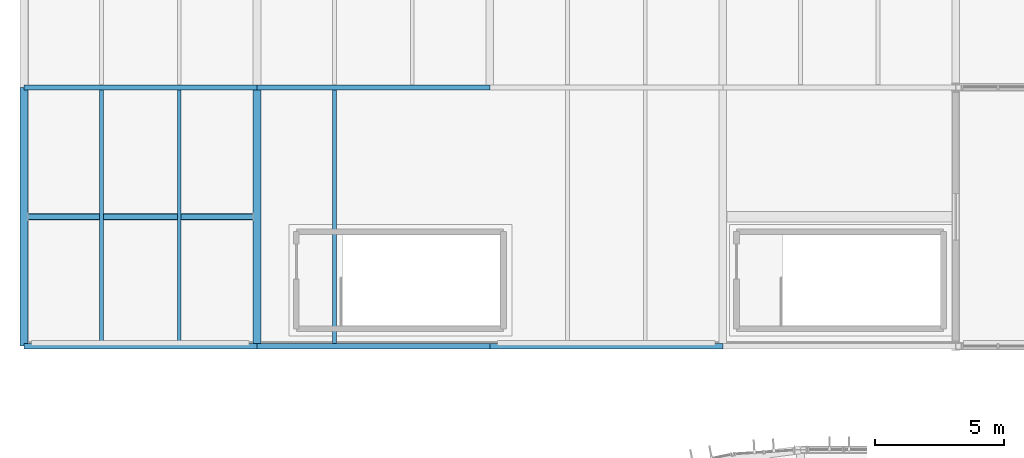
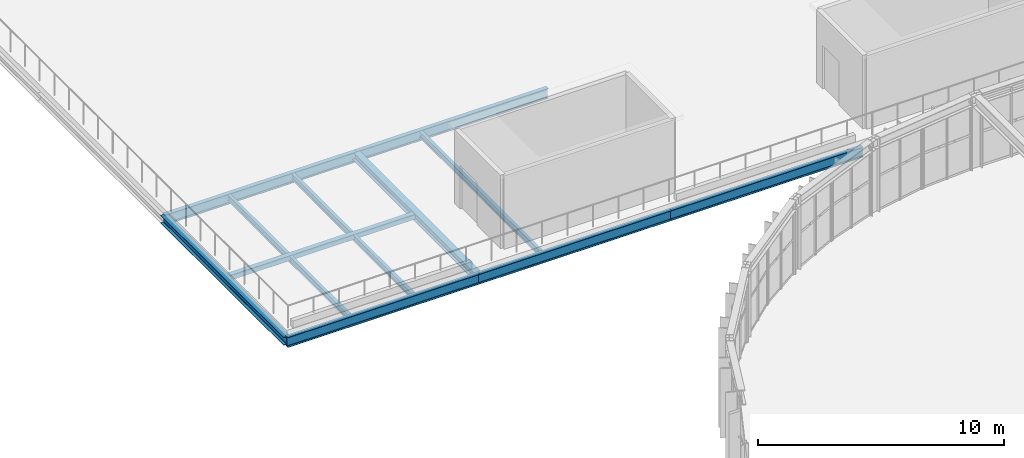
# One storey, part 55 of 152: 11 beams.
"""IFC4 building model written with IfcOpenShell, lengths in metres."""

import ifcopenshell
import ifcopenshell.guid

model = None  # the IFC model being written
_history = None  # IfcOwnerHistory: only IFC2X3 demands one
_inside = {}  # id of a spatial element -> (the spatial element, [elements in it])
_under = {}  # id of a project, library or spatial element -> (it, [spatial elements below it])
_declared = {}  # id of a project -> (the project, [libraries it declares])
_typed = {}  # id of a type object -> (the type object, [elements of that type])
_made_of = {}  # id of a material, layer set ... -> (it, [elements and type objects made of it])


def new_model(schema):
    """Start an empty IFC model of exactly this schema.

    Asked for "IFC4X3", IfcOpenShell would pick the latest addendum, in which some entities
    have other attributes; the version numbers below select the first issue.
    IFC2X3 requires an IfcOwnerHistory on every rooted entity: one is made here for all.
    """
    global model, _history
    if schema == "IFC4X3":
        model = ifcopenshell.file(schema_version=(4, 3, 0, 0))
    else:
        model = ifcopenshell.file(schema=schema)
    _inside.clear()
    _under.clear()
    _declared.clear()
    _typed.clear()
    _made_of.clear()
    _history = None
    if model.schema == "IFC2X3":
        org = make("IfcOrganization", Name="unknown")
        user = make(
            "IfcPersonAndOrganization",
            ThePerson=make("IfcPerson", FamilyName="unknown"),
            TheOrganization=org,
        )
        app = make(
            "IfcApplication",
            ApplicationDeveloper=org,
            Version="unknown",
            ApplicationFullName="unknown",
            ApplicationIdentifier="unknown",
        )
        _history = make(
            "IfcOwnerHistory",
            OwningUser=user,
            OwningApplication=app,
            ChangeAction="ADDED",
            CreationDate=0,
        )
    return model


def make(cls, **values):
    """One entity of the class cls with the attributes given. An attribute that is None is left unset."""
    return model.create_entity(
        cls, **{name: value for name, value in values.items() if value is not None}
    )


def rooted(cls, **values):
    """An entity with a GlobalId (a new one), such as an element, a storey or a relation."""
    return make(cls, GlobalId=ifcopenshell.guid.new(), OwnerHistory=_history, **values)


def si_unit(unit_type, name, prefix=None):
    """IfcSIUnit, for example si_unit("LENGTHUNIT", "METRE", prefix="MILLI")."""
    return make("IfcSIUnit", UnitType=unit_type, Prefix=prefix, Name=name)


def derived_unit(unit_type, elements):
    """IfcDerivedUnit: a product of units, each with its exponent."""
    return make(
        "IfcDerivedUnit",
        Elements=[
            make("IfcDerivedUnitElement", Unit=unit, Exponent=power)
            for unit, power in elements
        ],
        UnitType=unit_type,
    )


def assignment(units):
    """IfcUnitAssignment: the units of a project."""
    return None if units is None else make("IfcUnitAssignment", Units=units)


def point(xyz):
    """IfcCartesianPoint."""
    return None if xyz is None else make("IfcCartesianPoint", Coordinates=xyz)


def direction(xyz):
    """IfcDirection."""
    return None if xyz is None else make("IfcDirection", DirectionRatios=xyz)


def frame(location, z_axis=None, x_axis=None):
    """IfcAxis2Placement3D, a coordinate frame: its origin and axes. An axis left out is left unset."""
    return make(
        "IfcAxis2Placement3D",
        Location=point(location),
        Axis=direction(z_axis),
        RefDirection=direction(x_axis),
    )


def frame_2d(location, x_axis=None):
    """IfcAxis2Placement2D, a coordinate frame in the plane: its origin and x axis."""
    return make(
        "IfcAxis2Placement2D", Location=point(location), RefDirection=direction(x_axis)
    )


def origin():
    """The frame at (0, 0, 0) with its axes left unset."""
    return frame((0.0, 0.0, 0.0))


def origin_2d():
    """The frame at (0, 0) in the plane with its x axis left unset."""
    return frame_2d((0.0, 0.0))


def place(relative_to, where):
    """IfcLocalPlacement: puts the frame where relative to a parent placement (None: the world)."""
    return make(
        "IfcLocalPlacement", PlacementRelTo=relative_to, RelativePlacement=where
    )


def context(
    kind, dimensions, precision=None, world=None, true_north=None, identifier=None
):
    """IfcGeometricRepresentationContext, for example the 3D "Model" context."""
    return make(
        "IfcGeometricRepresentationContext",
        ContextIdentifier=identifier,
        ContextType=kind,
        CoordinateSpaceDimension=dimensions,
        Precision=precision,
        WorldCoordinateSystem=world,
        TrueNorth=true_north,
    )


def subcontext(parent, identifier, kind, view, scale=None):
    """IfcGeometricRepresentationSubContext, for example "Body" below "Model"."""
    return make(
        "IfcGeometricRepresentationSubContext",
        ContextIdentifier=identifier,
        ContextType=kind,
        ParentContext=parent,
        TargetScale=scale,
        TargetView=view,
    )


def project(units=None, contexts=None):
    """IfcProject with its units and contexts."""
    return rooted(
        "IfcProject",
        Name="project",
        RepresentationContexts=contexts,
        UnitsInContext=assignment(units),
    )


def spatial(cls, under=None, at=None, **own):
    """A site, building, storey or space (cls), placed at a placement, below another one or the project."""
    s = rooted(cls, ObjectPlacement=at, **own)
    if under is not None:
        _under.setdefault(under.id(), (under, []))[1].append(s)
    return s


def profile(cls, at=None, kind="AREA", **sizes):
    """A parametric profile (cls). Its sizes go by their IFC names, for example OverallWidth=200.0."""
    return make(cls, ProfileType=kind, Position=at, **sizes)


def hollow_rectangle(**sizes):
    """IfcRectangleHollowProfileDef."""
    return profile("IfcRectangleHollowProfileDef", **sizes)


def i_section(**sizes):
    """IfcIShapeProfileDef."""
    return profile("IfcIShapeProfileDef", **sizes)


def extrude(swept, where, along, depth):
    """IfcExtrudedAreaSolid: the profile swept, set in the frame where, extruded along a direction by depth."""
    return make(
        "IfcExtrudedAreaSolid",
        SweptArea=swept,
        Position=where,
        ExtrudedDirection=direction(along),
        Depth=depth,
    )


def shape(context_of_items, identifier, shape_type, items):
    """IfcShapeRepresentation: the items that make up one representation, for example the "Body"."""
    return make(
        "IfcShapeRepresentation",
        ContextOfItems=context_of_items,
        RepresentationIdentifier=identifier,
        RepresentationType=shape_type,
        Items=items,
    )


def material(Name=None, Category=None):
    """IfcMaterial."""
    return make("IfcMaterial", Name=Name, Category=Category)


def material_profile(
    of_material, cross_section, Name=None, Category=None, Priority=None
):
    """IfcMaterialProfile: a cross section and its material."""
    return make(
        "IfcMaterialProfile",
        Name=Name,
        Material=of_material,
        Profile=cross_section,
        Priority=Priority,
        Category=Category,
    )


def profile_set(profiles, Name=None, composite=None):
    """IfcMaterialProfileSet."""
    return make(
        "IfcMaterialProfileSet",
        Name=Name,
        MaterialProfiles=profiles,
        CompositeProfile=composite,
    )


def made_of(thing, what):
    """Note that an element or type object is made of a material, layer set ...; save() writes the relation."""
    if what is not None:
        _made_of.setdefault(what.id(), (what, []))[1].append(thing)
    return thing


def type_object(cls, material=None, **own):
    """A type object (cls), such as IfcWallType, which elements share."""
    return made_of(rooted(cls, **own), material)


def element(
    cls,
    number,
    at=None,
    inside=None,
    cuts=None,
    type_object=None,
    material=None,
    context=None,
    identifier="Body",
    shape_type=None,
    held_by="IfcProductDefinitionShape",
    body=None,
    shapes=None,
    **own,
):
    """One element of the class cls, such as IfcWall. Its Tag is "e" and its number.

    at: its placement. inside: the storey or other place that contains it. cuts: it is an
    opening in that element (IfcRelVoidsElement). A single representation is given by context,
    identifier, shape_type and body (its items); several are given by shapes. held_by: the class
    of the entity that holds the representations. save() writes the other relations.
    """
    e = rooted(cls, Tag="e%d" % number, ObjectPlacement=at, **own)
    if body is not None:
        shapes = [shape(context, identifier, shape_type, body)]
    if shapes is not None:
        e.Representation = make(held_by, Representations=shapes)
    if inside is not None:
        _inside.setdefault(inside.id(), (inside, []))[1].append(e)
    if cuts is not None:
        rooted(
            "IfcRelVoidsElement", RelatingBuildingElement=cuts, RelatedOpeningElement=e
        )
    if type_object is not None:
        _typed.setdefault(type_object.id(), (type_object, []))[1].append(e)
    return made_of(e, material)


def aggregate(whole, parts):
    """IfcRelAggregates: a whole, such as a stair, and the parts it consists of."""
    return rooted("IfcRelAggregates", RelatingObject=whole, RelatedObjects=parts)


def save(model, path):
    """Write the relations noted so far, then the file.

    IfcRelAggregates (storeys below a building ...), IfcRelContainedInSpatialStructure (elements
    in a storey), IfcRelDefinesByType, IfcRelAssociatesMaterial and IfcRelDeclares: one each for
    every whole, place, type object, material and project.
    """
    for whole, parts in _under.values():
        aggregate(whole, parts)
    for where, things in _inside.values():
        rooted(
            "IfcRelContainedInSpatialStructure",
            RelatedElements=things,
            RelatingStructure=where,
        )
    for kind, things in _typed.values():
        rooted("IfcRelDefinesByType", RelatedObjects=things, RelatingType=kind)
    for what, things in _made_of.values():
        rooted("IfcRelAssociatesMaterial", RelatedObjects=things, RelatingMaterial=what)
    for by, libraries in _declared.values():
        rooted("IfcRelDeclares", RelatingContext=by, RelatedDefinitions=libraries)
    model.write(path)


model = new_model("IFC4")

# Units and contexts
model_context = context("Model", 3, precision=1e-05, world=origin(), true_north=direction((0.0, 1.0)))
body_context = subcontext(model_context, "Body", "Model", "MODEL_VIEW")
ifc_project = project(units=[si_unit("LENGTHUNIT", "METRE"), si_unit("AREAUNIT", "SQUARE_METRE"), si_unit("VOLUMEUNIT", "CUBIC_METRE"), si_unit("PLANEANGLEUNIT", "RADIAN"), si_unit("MASSUNIT", "GRAM", prefix="KILO"), si_unit("THERMODYNAMICTEMPERATUREUNIT", "KELVIN"), si_unit("TIMEUNIT", "SECOND"), derived_unit("THERMALTRANSMITTANCEUNIT", [(si_unit("MASSUNIT", "GRAM", prefix="KILO"), 1), (si_unit("THERMODYNAMICTEMPERATUREUNIT", "KELVIN"), -1), (si_unit("TIMEUNIT", "SECOND"), -3)])], contexts=[model_context])

# Site, building, storey
site_placement = place(None, origin())
site = spatial("IfcSite", under=ifc_project, at=site_placement, CompositionType="ELEMENT")
building_placement = place(site_placement, origin())
building = spatial("IfcBuilding", under=site, at=building_placement, Name="Cambertide Market Hall", CompositionType="ELEMENT")
storey_placement = place(building_placement, frame((0.0, 0.0, 5.39990234375)))
storey = spatial("IfcBuildingStorey", under=building, at=storey_placement, Name="L02", CompositionType="ELEMENT", Elevation=5.39990234375)

# Beams
ifc_material_1 = material(Name="Steel S355", Category="steel")
ifc_material_profile_1 = material_profile(ifc_material_1, i_section(OverallWidth=0.300048828125, OverallDepth=0.39990234375, WebThickness=0.013427734375, FlangeThickness=0.02392578125, FilletRadius=0.027099609375, at=origin_2d()), Name="HEB 400")
ifc_profile_set_1 = profile_set([ifc_material_profile_1], Name="Steel S355")
beam_type_1 = type_object("IfcBeamType", Name="Steel Girder HEB 400", PredefinedType="BEAM", material=ifc_profile_set_1)
for number, where, z_axis, x_axis, name in (
    (1, (12.0, 96.0, -0.489990234375), (0.0, 1.0, 0.0), (-1.0, 0.0, 0.0), "Level 2 Beam BM-V2Y-L02-1-1"),
    (2, (21.0, 96.0, -0.489990234375), (0.0, 1.0, 0.0), (-1.0, 0.0, 0.0), "Level 2 Beam BM-V2Y-L02-2-1"),
):
    element("IfcBeam", number, at=place(storey_placement, frame(where, z_axis=z_axis, x_axis=x_axis)), inside=storey, type_object=beam_type_1, Name=name, PredefinedType="BEAM", context=body_context, shape_type="SweptSolid", body=[
        extrude(i_section(OverallWidth=0.300048828125, OverallDepth=0.39990234375, WebThickness=0.013427734375, FlangeThickness=0.02392578125, FilletRadius=0.027099609375, at=origin_2d()), origin(), (0.0, 0.0, 1.0), 10.0),
    ])
ifc_material_2 = material(Name="Steel S355", Category="steel")
ifc_material_profile_2 = material_profile(ifc_material_2, i_section(OverallWidth=0.199951171875, OverallDepth=0.5, WebThickness=0.01025390625, FlangeThickness=0.01611328125, FilletRadius=0.02099609375, at=origin_2d()), Name="IPE 500")
ifc_profile_set_2 = profile_set([ifc_material_profile_2], Name="Steel S355")
beam_type_2 = type_object("IfcBeamType", Name="Steel Girder IPE 500", PredefinedType="BEAM", material=ifc_profile_set_2)
for number, where, z_axis, x_axis, name in (
    (3, (12.0, 96.0, -0.539794921875), (1.0, 0.0, 0.0), (0.0, 1.0, 0.0), "Level 2 Beam BM-V2X-L02-1-1"),
    (4, (12.0, 106.0, -0.539794921875), (1.0, 0.0, 0.0), (0.0, 1.0, 0.0), "Level 2 Beam BM-V2X-L02-1-2"),
    (5, (21.0, 96.0, -0.539794921875), (1.0, 0.0, 0.0), (0.0, 1.0, 0.0), "Level 2 Beam BM-V2X-L02-2-1"),
    (6, (21.0, 106.0, -0.539794921875), (1.0, 0.0, 0.0), (0.0, 1.0, 0.0), "Level 2 Beam BM-V2X-L02-2-2"),
    (7, (30.0, 96.0, -0.539794921875), (1.0, 0.0, 0.0), (0.0, 1.0, 0.0), "Level 2 Beam BM-V2X-L02-3-1"),
):
    element("IfcBeam", number, at=place(storey_placement, frame(where, z_axis=z_axis, x_axis=x_axis)), inside=storey, type_object=beam_type_2, Name=name, PredefinedType="BEAM", context=body_context, shape_type="SweptSolid", body=[
        extrude(i_section(OverallWidth=0.199951171875, OverallDepth=0.5, WebThickness=0.01025390625, FlangeThickness=0.01611328125, FilletRadius=0.02099609375, at=origin_2d()), origin(), (0.0, 0.0, 1.0), 9.0),
    ])
ifc_material_3 = material(Name="Steel S355", Category="steel")
ifc_material_profile_3 = material_profile(ifc_material_3, hollow_rectangle(XDim=0.25, YDim=0.25, WallThickness=0.010009765625, InnerFilletRadius=0.010009765625, OuterFilletRadius=0.02001953125, at=origin_2d()), Name="SHS 250x250x10")
ifc_profile_set_3 = profile_set([ifc_material_profile_3], Name="Steel S355")
beam_type_3 = type_object("IfcBeamType", Name="Steel Girder SHS 250x250x10", PredefinedType="BEAM", material=ifc_profile_set_3)
beam_placement = place(storey_placement, frame((12.157958984375, 101.0, -0.414794921875), z_axis=(1.0, 0.0, 0.0), x_axis=(0.0, 1.0, 0.0)))
element("IfcBeam", 8, at=beam_placement, inside=storey, type_object=beam_type_3, Name="Level 2 Beam TRIM-V2-TERR-1", PredefinedType="BEAM", context=body_context, shape_type="SweptSolid", body=[
    extrude(hollow_rectangle(XDim=0.25, YDim=0.25, WallThickness=0.010009765625, InnerFilletRadius=0.010009765625, OuterFilletRadius=0.02001953125, at=origin_2d()), origin(), (0.0, 0.0, 1.0), 8.68408203125),
])
ifc_material_4 = material(Name="Steel S275", Category="steel")
ifc_material_profile_4 = material_profile(ifc_material_4, i_section(OverallWidth=0.14990234375, OverallDepth=0.300048828125, WebThickness=0.007080078125, FlangeThickness=0.0107421875, FilletRadius=0.014892578125, at=origin_2d()), Name="IPE 300")
ifc_profile_set_4 = profile_set([ifc_material_profile_4], Name="Steel S275")
beam_type_4 = type_object("IfcBeamType", Name="Steel Secondary Joist IPE 300", PredefinedType="JOIST", material=ifc_profile_set_4)
for number, where, z_axis, x_axis, name in (
    (9, (15.0, 96.10791015625, -0.43994140625), (0.0, 1.0, 0.0), (-1.0, 0.0, 0.0), "Level 2 Joist JS-V2-L02-1-1-1"),
    (10, (18.0, 96.10791015625, -0.43994140625), (0.0, 1.0, 0.0), (-1.0, 0.0, 0.0), "Level 2 Joist JS-V2-L02-1-1-2"),
    (11, (24.0, 96.10791015625, -0.43994140625), (0.0, 1.0, 0.0), (-1.0, 0.0, 0.0), "Level 2 Joist JS-V2-L02-2-1-1"),
):
    element("IfcBeam", number, at=place(storey_placement, frame(where, z_axis=z_axis, x_axis=x_axis)), inside=storey, type_object=beam_type_4, Name=name, PredefinedType="JOIST", context=body_context, shape_type="SweptSolid", body=[
        extrude(i_section(OverallWidth=0.14990234375, OverallDepth=0.300048828125, WebThickness=0.007080078125, FlangeThickness=0.0107421875, FilletRadius=0.014892578125, at=origin_2d()), origin(), (0.0, 0.0, 1.0), 9.7841796875),
    ])

save(model, "model.ifc")
